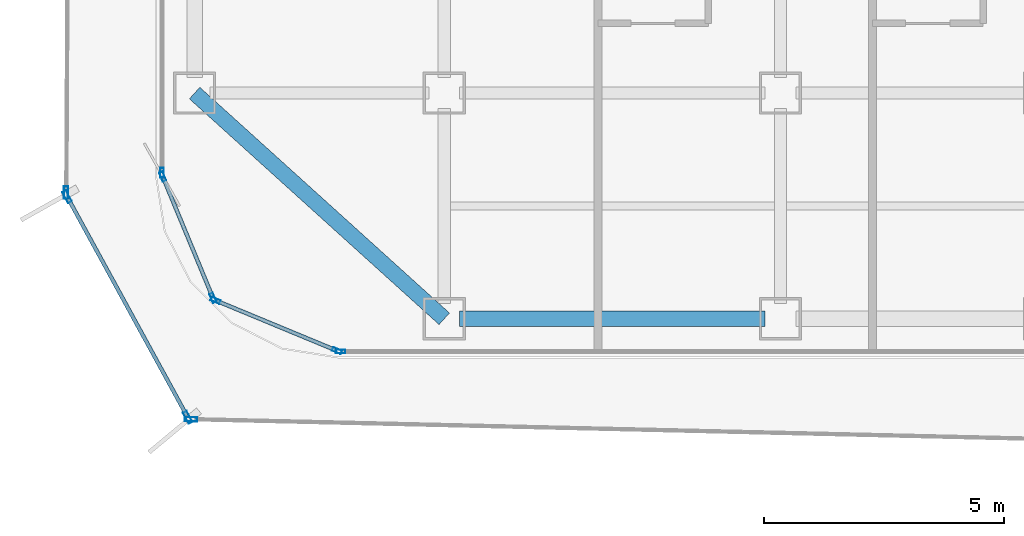
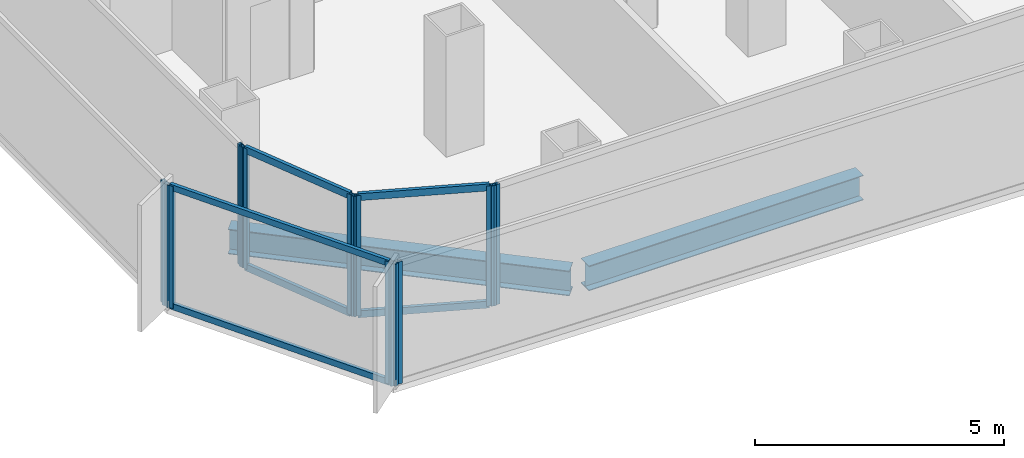
# One storey, part 2 of 21: 16 members, 2 beams, 7 elements without a shape of their own.
"""IFC4 building model written with IfcOpenShell, lengths in metres."""

from ifc_helpers import new_model, si_unit, direction, frame, origin, origin_2d, place, context, subcontext, project, spatial, hollow_rectangle, i_section, extrude, source, transform, mapped, material, layer, layer_set, material_profile, profile_set, type_object, element, aggregate, save


model = new_model("IFC4")

# Units and contexts
model_context = context("Model", 3, precision=1e-05, world=origin(), true_north=direction((0.0, 1.0)))
body_context = subcontext(model_context, "Body", "Model", "MODEL_VIEW")
ifc_project = project(units=[si_unit("LENGTHUNIT", "METRE"), si_unit("AREAUNIT", "SQUARE_METRE"), si_unit("VOLUMEUNIT", "CUBIC_METRE"), si_unit("PLANEANGLEUNIT", "RADIAN"), si_unit("MASSUNIT", "GRAM", prefix="KILO")], contexts=[model_context])

# Site, building, storey
site_placement = place(None, origin())
site = spatial("IfcSite", under=ifc_project, at=site_placement, CompositionType="ELEMENT")
building_placement = place(site_placement, origin())
building = spatial("IfcBuilding", under=site, at=building_placement, Name="Kolveth Station Tower", CompositionType="ELEMENT")
storey_placement = place(building_placement, frame((0.0, 0.0, 102.300048828125)))
storey = spatial("IfcBuildingStorey", under=building, at=storey_placement, Name="L27", CompositionType="ELEMENT", Elevation=102.300048828125)

# Beams
ifc_material_1 = material(Name="Steel S355", Category="steel")
ifc_material_profile_1 = material_profile(ifc_material_1, i_section(OverallWidth=0.323974609375, OverallDepth=0.611083984375, WebThickness=0.0126953125, FlangeThickness=0.01904296875, at=origin_2d()), Name="W610x155")
ifc_profile_set_1 = profile_set([ifc_material_profile_1], Name="Steel S355")
beam_type = type_object("IfcBeamType", Name="Beam_SP2", PredefinedType="SPANDREL", material=ifc_profile_set_1)
shared_shape_1 = source(origin(), body_context, "Body", "SweptSolid", [
    extrude(i_section(OverallWidth=0.323974609375, OverallDepth=0.611083984375, WebThickness=0.0126953125, FlangeThickness=0.01904296875, at=origin_2d()), origin(), (0.0, 0.0, 1.0), 6.35986328125),
])
beam_1_placement = place(storey_placement, frame((6.320068359375, 0.800048828125, -0.5556640625), z_axis=(1.0, 0.0, 0.0), x_axis=(0.0, 1.0, 0.0)))
element("IfcBeam", 1, at=beam_1_placement, inside=storey, type_object=beam_type, Name="L27 Perimeter Spandrel BM-L27-PS-1", PredefinedType="SPANDREL", context=body_context, shape_type="MappedRepresentation", body=[
    mapped(shared_shape_1, transform((0.0, 0.0, 0.0), x_axis=(1.0, 0.0, 0.0), y_axis=(0.0, 1.0, 0.0), z_axis=(0.0, 0.0, 1.0), scale=1.0)),
])
shared_shape_2 = source(origin(), body_context, "Body", "SweptSolid", [
    extrude(i_section(OverallWidth=0.323974609375, OverallDepth=0.611083984375, WebThickness=0.0126953125, FlangeThickness=0.01904296875, at=origin_2d()), origin(), (0.0, 0.0, 1.0), 7.00927734375),
])
beam_2_placement = place(storey_placement, frame((0.800048828125, 5.5, -0.5556640625), z_axis=(0.741874009795, -0.670539300557, 0.0), x_axis=(0.670539300557, 0.741874009795, 0.0)))
element("IfcBeam", 2, at=beam_2_placement, inside=storey, type_object=beam_type, Name="L27 Corner Edge Girder BM-L27-CNR-SW", PredefinedType="SPANDREL", context=body_context, shape_type="MappedRepresentation", body=[
    mapped(shared_shape_2, transform((0.0, 0.0, 0.0), x_axis=(1.0, 0.0, 0.0), y_axis=(0.0, 1.0, 0.0), z_axis=(0.0, 0.0, 1.0), scale=1.0)),
])

# Curtain wall, member
ifc_material_2 = material(Name="Aluminium 6063-T6 and low-E dark glass", Category="aluminium")
ifc_layer_1 = layer(ifc_material_2, 0.18994140625)
ifc_layer_set_1 = layer_set([ifc_layer_1], Name="Aluminium 6063-T6 and low-E dark glass")
curtain_wall_type_1 = type_object("IfcCurtainWallType", Name="CurtainWall_CW-Z2", PredefinedType="NOTDEFINED", material=ifc_layer_set_1)
curtain_wall_1_placement = place(storey_placement, origin())
curtain_wall_1 = element("IfcCurtainWall", 3, at=curtain_wall_1_placement, inside=storey, type_object=curtain_wall_type_1, Name="L27 Inner Thermal Curtain Wall 9", PredefinedType="NOTDEFINED")
ifc_material_3 = material(Name="Black anodized aluminium 6063-T6", Category="aluminium")
ifc_material_profile_2 = material_profile(ifc_material_3, hollow_rectangle(XDim=0.080078125, YDim=0.199951171875, WallThickness=0.0048828125, at=origin_2d()), Name="ALU-80x200x5")
ifc_profile_set_2 = profile_set([ifc_material_profile_2], Name="Black anodized aluminium 6063-T6")
member_type_1 = type_object("IfcMemberType", Name="Mullion_ML2", PredefinedType="MULLION", material=ifc_profile_set_2)
shared_shape_3 = source(origin(), body_context, "Body", "SweptSolid", [
    extrude(hollow_rectangle(XDim=0.080078125, YDim=0.199951171875, WallThickness=0.0048828125, at=origin_2d()), origin(), (0.0, 0.0, 1.0), 2.949951171875),
])
member_1_placement = place(storey_placement, frame((0.1201171875, 3.840087890625, 0.0), z_axis=(0.0, 0.0, 1.0), x_axis=(1.0, 0.0, 0.0)))
member_1 = element("IfcMember", 4, at=member_1_placement, type_object=member_type_1, Name="CW-Z2 mullion 2", PredefinedType="MULLION", context=body_context, shape_type="MappedRepresentation", body=[
    mapped(shared_shape_3, transform((0.0, 0.0, 0.0), x_axis=(1.0, 0.0, 0.0), y_axis=(0.0, 1.0, 0.0), z_axis=(0.0, 0.0, 1.0), scale=1.0)),
])
aggregate(curtain_wall_1, [member_1])

# Curtain wall, members
curtain_wall_2_placement = place(storey_placement, origin())
curtain_wall_2 = element("IfcCurtainWall", 5, at=curtain_wall_2_placement, inside=storey, type_object=curtain_wall_type_1, Name="L27 Inner Thermal Curtain Wall 10", PredefinedType="NOTDEFINED")
member_2_placement = place(storey_placement, frame((0.13525390625, 3.762939453125, 0.0), z_axis=(0.0, 0.0, 1.0), x_axis=(0.923887883787, 0.38266326998, 0.0)))
member_2 = element("IfcMember", 6, at=member_2_placement, type_object=member_type_1, Name="CW-Z2 mullion 1", PredefinedType="MULLION", context=body_context, shape_type="MappedRepresentation", body=[
    mapped(shared_shape_3, transform((0.0, 0.0, 0.0), x_axis=(1.0, 0.0, 0.0), y_axis=(0.0, 1.0, 0.0), z_axis=(0.0, 0.0, 1.0), scale=1.0)),
])
member_3_placement = place(storey_placement, frame((1.182373046875, 1.23486328125, 0.0), z_axis=(0.0, 0.0, 1.0), x_axis=(0.923887883787, 0.38266326998, 0.0)))
member_3 = element("IfcMember", 7, at=member_3_placement, type_object=member_type_1, Name="CW-Z2 mullion 2", PredefinedType="MULLION", context=body_context, shape_type="MappedRepresentation", body=[
    mapped(shared_shape_3, transform((0.0, 0.0, 0.0), x_axis=(1.0, 0.0, 0.0), y_axis=(0.0, 1.0, 0.0), z_axis=(0.0, 0.0, 1.0), scale=1.0)),
])

curtain_wall_3_placement = place(storey_placement, origin())
curtain_wall_3 = element("IfcCurtainWall", 8, at=curtain_wall_3_placement, inside=storey, type_object=curtain_wall_type_1, Name="L27 Inner Thermal Curtain Wall 11", PredefinedType="NOTDEFINED")
member_4_placement = place(storey_placement, frame((1.23486328125, 1.182373046875, 0.0), z_axis=(0.0, 0.0, 1.0), x_axis=(0.38266326998, 0.923887883787, 0.0)))
member_4 = element("IfcMember", 9, at=member_4_placement, type_object=member_type_1, Name="CW-Z2 mullion 1", PredefinedType="MULLION", context=body_context, shape_type="MappedRepresentation", body=[
    mapped(shared_shape_3, transform((0.0, 0.0, 0.0), x_axis=(1.0, 0.0, 0.0), y_axis=(0.0, 1.0, 0.0), z_axis=(0.0, 0.0, 1.0), scale=1.0)),
])
member_5_placement = place(storey_placement, frame((3.762939453125, 0.13525390625, 0.0), z_axis=(0.0, 0.0, 1.0), x_axis=(0.38266326998, 0.923887883787, 0.0)))
member_5 = element("IfcMember", 10, at=member_5_placement, type_object=member_type_1, Name="CW-Z2 mullion 2", PredefinedType="MULLION", context=body_context, shape_type="MappedRepresentation", body=[
    mapped(shared_shape_3, transform((0.0, 0.0, 0.0), x_axis=(1.0, 0.0, 0.0), y_axis=(0.0, 1.0, 0.0), z_axis=(0.0, 0.0, 1.0), scale=1.0)),
])

# Curtain wall, member
curtain_wall_4_placement = place(storey_placement, origin())
curtain_wall_4 = element("IfcCurtainWall", 11, at=curtain_wall_4_placement, inside=storey, type_object=curtain_wall_type_1, Name="L27 Inner Thermal Curtain Wall 12", PredefinedType="NOTDEFINED")
member_6_placement = place(storey_placement, frame((3.840087890625, 0.1201171875, 0.0), z_axis=(0.0, 0.0, 1.0), x_axis=(0.0, 1.0, 0.0)))
member_6 = element("IfcMember", 12, at=member_6_placement, type_object=member_type_1, Name="CW-Z2 mullion 1", PredefinedType="MULLION", context=body_context, shape_type="MappedRepresentation", body=[
    mapped(shared_shape_3, transform((0.0, 0.0, 0.0), x_axis=(1.0, 0.0, 0.0), y_axis=(0.0, 1.0, 0.0), z_axis=(0.0, 0.0, 1.0), scale=1.0)),
])
aggregate(curtain_wall_4, [member_6])

# Member
ifc_material_profile_3 = material_profile(ifc_material_3, hollow_rectangle(XDim=0.080078125, YDim=0.169921875, WallThickness=0.0048828125, at=origin_2d()), Name="ALU-80x170x5")
ifc_profile_set_3 = profile_set([ifc_material_profile_3], Name="Black anodized aluminium 6063-T6")
member_type_2 = type_object("IfcMemberType", Name="Transom_TR2", PredefinedType="USERDEFINED", material=ifc_profile_set_3)
shared_shape_4 = source(origin(), body_context, "Body", "SweptSolid", [
    extrude(hollow_rectangle(XDim=0.080078125, YDim=0.169921875, WallThickness=0.0048828125, at=origin_2d()), origin(), (0.0, 0.0, 1.0), 2.656494140625),
])
member_7_placement = place(storey_placement, frame((0.150634765625, 3.72607421875, 0.0400390625), z_axis=(0.382676455475, -0.923882422403, 0.0), x_axis=(0.923882422403, 0.382676455475, 0.0)))
member_7 = element("IfcMember", 13, at=member_7_placement, type_object=member_type_2, Name="CW-Z2 transom 1.1", ObjectType="TRANSOM", PredefinedType="USERDEFINED", context=body_context, shape_type="MappedRepresentation", body=[
    mapped(shared_shape_4, transform((0.0, 0.0, 0.0), x_axis=(1.0, 0.0, 0.0), y_axis=(0.0, 1.0, 0.0), z_axis=(0.0, 0.0, 1.0), scale=1.0)),
])

member_8_placement = place(storey_placement, frame((0.150634765625, 3.72607421875, 2.909912109375), z_axis=(0.382676455475, -0.923882422403, 0.0), x_axis=(0.923882422403, 0.382676455475, 0.0)))
member_8 = element("IfcMember", 14, at=member_8_placement, type_object=member_type_2, Name="CW-Z2 transom 1.2", ObjectType="TRANSOM", PredefinedType="USERDEFINED", context=body_context, shape_type="MappedRepresentation", body=[
    mapped(shared_shape_4, transform((0.0, 0.0, 0.0), x_axis=(1.0, 0.0, 0.0), y_axis=(0.0, 1.0, 0.0), z_axis=(0.0, 0.0, 1.0), scale=1.0)),
])

aggregate(curtain_wall_2, [member_2, member_3, member_7, member_8])

member_9_placement = place(storey_placement, frame((1.271728515625, 1.167236328125, 0.0400390625), z_axis=(0.923882422403, -0.382676455475, 0.0), x_axis=(0.382676455475, 0.923882422403, 0.0)))
member_9 = element("IfcMember", 15, at=member_9_placement, type_object=member_type_2, Name="CW-Z2 transom 1.1", ObjectType="TRANSOM", PredefinedType="USERDEFINED", context=body_context, shape_type="MappedRepresentation", body=[
    mapped(shared_shape_4, transform((0.0, 0.0, 0.0), x_axis=(1.0, 0.0, 0.0), y_axis=(0.0, 1.0, 0.0), z_axis=(0.0, 0.0, 1.0), scale=1.0)),
])

member_10_placement = place(storey_placement, frame((1.271728515625, 1.167236328125, 2.909912109375), z_axis=(0.923882422403, -0.382676455475, 0.0), x_axis=(0.382676455475, 0.923882422403, 0.0)))
member_10 = element("IfcMember", 16, at=member_10_placement, type_object=member_type_2, Name="CW-Z2 transom 1.2", ObjectType="TRANSOM", PredefinedType="USERDEFINED", context=body_context, shape_type="MappedRepresentation", body=[
    mapped(shared_shape_4, transform((0.0, 0.0, 0.0), x_axis=(1.0, 0.0, 0.0), y_axis=(0.0, 1.0, 0.0), z_axis=(0.0, 0.0, 1.0), scale=1.0)),
])

aggregate(curtain_wall_3, [member_4, member_5, member_9, member_10])

# Curtain wall, member
ifc_material_4 = material(Name="Black anodized aluminium 6063-T6 and dark solar glass", Category="aluminium")
ifc_layer_2 = layer(ifc_material_4, 0.159912109375)
ifc_layer_set_2 = layer_set([ifc_layer_2], Name="Black anodized aluminium 6063-T6 and dark solar glass")
curtain_wall_type_2 = type_object("IfcCurtainWallType", Name="OUTER SKIN CW-OS", PredefinedType="NOTDEFINED", material=ifc_layer_set_2)
curtain_wall_5_placement = place(storey_placement, origin())
curtain_wall_5 = element("IfcCurtainWall", 17, at=curtain_wall_5_placement, inside=storey, type_object=curtain_wall_type_2, Name="L27 Outer Ventilated Skin Curtain Wall 6", PredefinedType="NOTDEFINED")
ifc_material_profile_4 = material_profile(ifc_material_3, hollow_rectangle(XDim=0.090087890625, YDim=0.260009765625, WallThickness=0.0048828125, at=origin_2d()), Name="ALU-90x260x5")
ifc_profile_set_4 = profile_set([ifc_material_profile_4], Name="Black anodized aluminium 6063-T6")
member_type_3 = type_object("IfcMemberType", Name="FIN MULLION ML-OS", PredefinedType="MULLION", material=ifc_profile_set_4)
shared_shape_5 = source(origin(), body_context, "Body", "SweptSolid", [
    extrude(hollow_rectangle(XDim=0.090087890625, YDim=0.260009765625, WallThickness=0.0048828125, at=origin_2d()), origin(), (0.0, 0.0, 1.0), 2.989990234375),
])
member_11_placement = place(storey_placement, frame((-1.876953125, 3.428955078125, 0.0), z_axis=(0.0, 0.0, 1.0), x_axis=(0.999985072346, -0.005463980731, 0.0)))
member_11 = element("IfcMember", 18, at=member_11_placement, type_object=member_type_3, Name="CW-OS mullion 2", PredefinedType="MULLION", context=body_context, shape_type="MappedRepresentation", body=[
    mapped(shared_shape_5, transform((0.0, 0.0, 0.0), x_axis=(1.0, 0.0, 0.0), y_axis=(0.0, 1.0, 0.0), z_axis=(0.0, 0.0, 1.0), scale=1.0)),
])
aggregate(curtain_wall_5, [member_11])

# Curtain wall, members
curtain_wall_6_placement = place(storey_placement, origin())
curtain_wall_6 = element("IfcCurtainWall", 19, at=curtain_wall_6_placement, inside=storey, type_object=curtain_wall_type_2, Name="L27 Outer Ventilated Skin Curtain Wall 7", PredefinedType="NOTDEFINED")
member_12_placement = place(storey_placement, frame((-1.85546875, 3.344482421875, 0.0), z_axis=(0.0, 0.0, 1.0), x_axis=(0.877541871302, 0.479500014716, 0.0)))
member_12 = element("IfcMember", 20, at=member_12_placement, type_object=member_type_3, Name="CW-OS mullion 1", PredefinedType="MULLION", context=body_context, shape_type="MappedRepresentation", body=[
    mapped(shared_shape_5, transform((0.0, 0.0, 0.0), x_axis=(1.0, 0.0, 0.0), y_axis=(0.0, 1.0, 0.0), z_axis=(0.0, 0.0, 1.0), scale=1.0)),
])
member_13_placement = place(storey_placement, frame((0.6572265625, -1.254150390625, 0.0), z_axis=(0.0, 0.0, 1.0), x_axis=(0.877541871302, 0.479500014716, 0.0)))
member_13 = element("IfcMember", 21, at=member_13_placement, type_object=member_type_3, Name="CW-OS mullion 2", PredefinedType="MULLION", context=body_context, shape_type="MappedRepresentation", body=[
    mapped(shared_shape_5, transform((0.0, 0.0, 0.0), x_axis=(1.0, 0.0, 0.0), y_axis=(0.0, 1.0, 0.0), z_axis=(0.0, 0.0, 1.0), scale=1.0)),
])

# Curtain wall, member
curtain_wall_7_placement = place(storey_placement, origin())
curtain_wall_7 = element("IfcCurtainWall", 22, at=curtain_wall_7_placement, inside=storey, type_object=curtain_wall_type_2, Name="L27 Outer Ventilated Skin Curtain Wall 8", PredefinedType="NOTDEFINED")
member_14_placement = place(storey_placement, frame((0.723876953125, -1.294677734375, 0.0), z_axis=(0.0, 0.0, 1.0), x_axis=(0.023233624053, 0.999730062924, 0.0)))
member_14 = element("IfcMember", 23, at=member_14_placement, type_object=member_type_3, Name="CW-OS mullion 1", PredefinedType="MULLION", context=body_context, shape_type="MappedRepresentation", body=[
    mapped(shared_shape_5, transform((0.0, 0.0, 0.0), x_axis=(1.0, 0.0, 0.0), y_axis=(0.0, 1.0, 0.0), z_axis=(0.0, 0.0, 1.0), scale=1.0)),
])
aggregate(curtain_wall_7, [member_14])

# Member
ifc_material_profile_5 = material_profile(ifc_material_3, hollow_rectangle(XDim=0.080078125, YDim=0.14990234375, WallThickness=0.0048828125, at=origin_2d()), Name="ALU-80x150x5")
ifc_profile_set_5 = profile_set([ifc_material_profile_5], Name="Black anodized aluminium 6063-T6")
member_type_4 = type_object("IfcMemberType", Name="Transom_TR-OS", PredefinedType="USERDEFINED", material=ifc_profile_set_5)
shared_shape_6 = source(origin(), body_context, "Body", "SweptSolid", [
    extrude(hollow_rectangle(XDim=0.080078125, YDim=0.14990234375, WallThickness=0.0048828125, at=origin_2d()), origin(), (0.0, 0.0, 1.0), 5.150390625),
])
member_15_placement = place(storey_placement, frame((-1.833984375, 3.304931640625, 0.0400390625), z_axis=(0.47952951994, -0.877525748629, 0.0), x_axis=(0.877525748629, 0.47952951994, 0.0)))
member_15 = element("IfcMember", 24, at=member_15_placement, type_object=member_type_4, Name="CW-OS transom 1.1", ObjectType="TRANSOM", PredefinedType="USERDEFINED", context=body_context, shape_type="MappedRepresentation", body=[
    mapped(shared_shape_6, transform((0.0, 0.0, 0.0), x_axis=(1.0, 0.0, 0.0), y_axis=(0.0, 1.0, 0.0), z_axis=(0.0, 0.0, 1.0), scale=1.0)),
])

member_16_placement = place(storey_placement, frame((-1.833984375, 3.304931640625, 2.949951171875), z_axis=(0.47952951994, -0.877525748629, 0.0), x_axis=(0.877525748629, 0.47952951994, 0.0)))
member_16 = element("IfcMember", 25, at=member_16_placement, type_object=member_type_4, Name="CW-OS transom 1.2", ObjectType="TRANSOM", PredefinedType="USERDEFINED", context=body_context, shape_type="MappedRepresentation", body=[
    mapped(shared_shape_6, transform((0.0, 0.0, 0.0), x_axis=(1.0, 0.0, 0.0), y_axis=(0.0, 1.0, 0.0), z_axis=(0.0, 0.0, 1.0), scale=1.0)),
])

aggregate(curtain_wall_6, [member_12, member_13, member_15, member_16])

save(model, "model.ifc")
